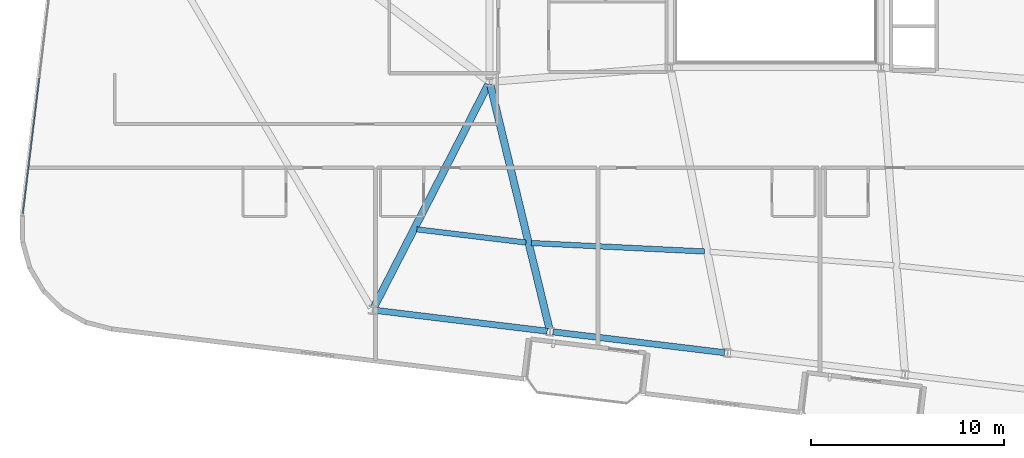
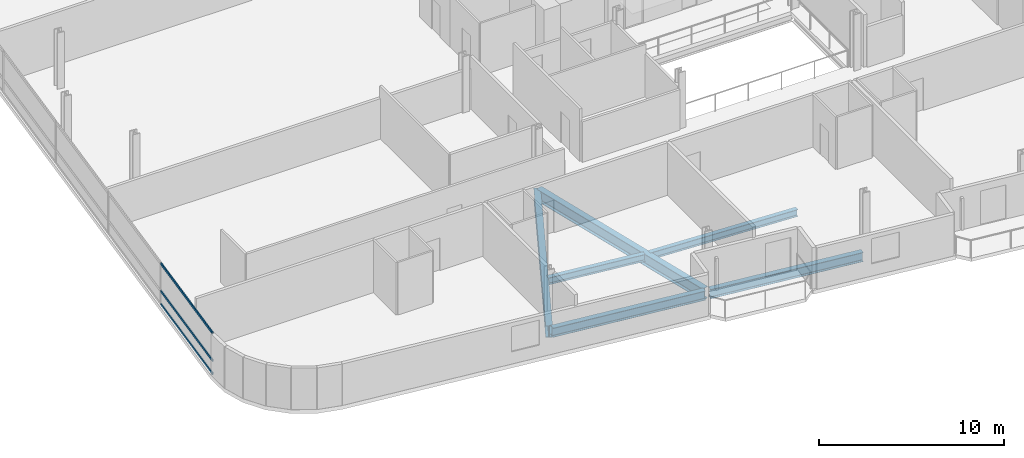
# One storey, part 3 of 25: 6 beams, 3 members, 1 element without a shape of its own.
"""IFC4 building model written with IfcOpenShell, lengths in metres."""

from ifc_helpers import new_model, si_unit, direction, frame, origin, origin_2d, place, context, subcontext, project, spatial, hollow_rectangle, i_section, extrude, material, layer, layer_set, material_profile, profile_set, type_object, element, aggregate, save


model = new_model("IFC4")

# Units and contexts
model_context = context("Model", 3, precision=1e-05, world=origin(), true_north=direction((0.0, 1.0)))
body_context = subcontext(model_context, "Body", "Model", "MODEL_VIEW")
ifc_project = project(units=[si_unit("LENGTHUNIT", "METRE"), si_unit("AREAUNIT", "SQUARE_METRE"), si_unit("VOLUMEUNIT", "CUBIC_METRE"), si_unit("PLANEANGLEUNIT", "RADIAN"), si_unit("MASSUNIT", "GRAM", prefix="KILO")], contexts=[model_context])

# Site, building, storey
site_placement = place(None, origin())
site = spatial("IfcSite", under=ifc_project, at=site_placement, CompositionType="ELEMENT")
building_placement = place(site_placement, origin())
building = spatial("IfcBuilding", under=site, at=building_placement, Name="Varnelok Gate Tower", CompositionType="ELEMENT")
storey_placement = place(building_placement, frame((0.0, 0.0, 140.199951171875)))
storey = spatial("IfcBuildingStorey", under=building, at=storey_placement, Name="L35", CompositionType="ELEMENT", Elevation=140.199951171875)

# Beams
ifc_material_1 = material(Name="Structural Steel ASTM A992 Grade 50", Category="steel")
ifc_material_profile_1 = material_profile(ifc_material_1, i_section(OverallWidth=0.280029296875, OverallDepth=0.462890625, WebThickness=0.0107421875, FlangeThickness=0.017333984375, FilletRadius=0.014892578125, at=origin_2d()), Name="W18X76")
ifc_profile_set_1 = profile_set([ifc_material_profile_1], Name="Structural Steel ASTM A992 Grade 50")
beam_type_1 = type_object("IfcBeamType", Name="BM-JST-W18X76", PredefinedType="JOIST", material=ifc_profile_set_1)
beam_1_placement = place(storey_placement, frame((20.634033203125, 11.169921875, -0.4814453125), z_axis=(0.992731450462, -0.120350601429, 0.0), x_axis=(0.120350601429, 0.992731450462, 0.0)))
element("IfcBeam", 1, at=beam_1_placement, inside=storey, type_object=beam_type_1, Name="L35 Sector Floor Joist 1", PredefinedType="JOIST", context=body_context, shape_type="SweptSolid", body=[
    extrude(i_section(OverallWidth=0.280029296875, OverallDepth=0.462890625, WebThickness=0.0107421875, FlangeThickness=0.017333984375, FilletRadius=0.014892578125, at=origin_2d()), origin(), (0.0, 0.0, 1.0), 5.68603515625),
])
beam_2_placement = place(storey_placement, frame((26.5576171875, 10.4619140625, -0.4814453125), z_axis=(0.998808084552, -0.0488099399, 0.0), x_axis=(0.0488099399, 0.998808084552, 0.0)))
element("IfcBeam", 2, at=beam_2_placement, inside=storey, type_object=beam_type_1, Name="L35 Sector Floor Joist 2", PredefinedType="JOIST", context=body_context, shape_type="SweptSolid", body=[
    extrude(i_section(OverallWidth=0.280029296875, OverallDepth=0.462890625, WebThickness=0.0107421875, FlangeThickness=0.017333984375, FilletRadius=0.014892578125, at=origin_2d()), origin(), (0.0, 0.0, 1.0), 8.973388671875),
])
ifc_material_profile_2 = material_profile(ifc_material_1, i_section(OverallWidth=0.381103515625, OverallDepth=0.77294921875, WebThickness=0.0166015625, FlangeThickness=0.027099609375, FilletRadius=0.02197265625, at=origin_2d()), Name="W30X173")
ifc_profile_set_2 = profile_set([ifc_material_profile_2], Name="Structural Steel ASTM A992 Grade 50")
beam_type_2 = type_object("IfcBeamType", Name="BM-PRI-W30X173", PredefinedType="BEAM", material=ifc_profile_set_2)
beam_3_placement = place(storey_placement, frame((24.33154296875, 18.66650390625, -0.636474609375), z_axis=(-0.456386604987, -0.889781583754, 0.0), x_axis=(0.889781583754, -0.456386604987, 0.0)))
element("IfcBeam", 3, at=beam_3_placement, inside=storey, type_object=beam_type_2, Name="L35 Radial Floor Girder 1", PredefinedType="BEAM", context=body_context, shape_type="SweptSolid", body=[
    extrude(i_section(OverallWidth=0.381103515625, OverallDepth=0.77294921875, WebThickness=0.0166015625, FlangeThickness=0.027099609375, FilletRadius=0.02197265625, at=origin_2d()), origin(), (0.0, 0.0, 1.0), 12.96533203125),
])
beam_4_placement = place(storey_placement, frame((24.435302734375, 18.654296875, -0.636474609375), z_axis=(0.235400453941, -0.971898465008, 0.0), x_axis=(0.971898465008, 0.235400453941, 0.0)))
element("IfcBeam", 4, at=beam_4_placement, inside=storey, type_object=beam_type_2, Name="L35 Radial Floor Girder 2", PredefinedType="BEAM", context=body_context, shape_type="SweptSolid", body=[
    extrude(i_section(OverallWidth=0.381103515625, OverallDepth=0.77294921875, WebThickness=0.0166015625, FlangeThickness=0.027099609375, FilletRadius=0.02197265625, at=origin_2d()), origin(), (0.0, 0.0, 1.0), 12.989990234375),
])
ifc_material_profile_3 = material_profile(ifc_material_1, i_section(OverallWidth=0.323974609375, OverallDepth=0.611083984375, WebThickness=0.0126953125, FlangeThickness=0.01904296875, FilletRadius=0.01806640625, at=origin_2d()), Name="W24X104")
ifc_profile_set_3 = profile_set([ifc_material_profile_3], Name="Structural Steel ASTM A992 Grade 50")
beam_type_3 = type_object("IfcBeamType", Name="BM-SPN-W24X104", PredefinedType="SPANDREL", material=ifc_profile_set_3)
for number, where, z_axis, x_axis, name in (
    (5, (18.49462890625, 6.978515625, -0.555419921875), (0.992734670707, -0.120324035735, 0.0), (0.120324035735, 0.992734670707, 0.0), "L35 Perimeter Spandrel Beam 1"),
    (6, (27.677490234375, 5.865478515625, -0.555419921875), (0.99273141198, -0.120350918849, 0.0), (0.120350918849, 0.99273141198, 0.0), "L35 Perimeter Spandrel Beam 2"),
):
    element("IfcBeam", number, at=place(storey_placement, frame(where, z_axis=z_axis, x_axis=x_axis)), inside=storey, type_object=beam_type_3, Name=name, PredefinedType="SPANDREL", context=body_context, shape_type="SweptSolid", body=[
        extrude(i_section(OverallWidth=0.323974609375, OverallDepth=0.611083984375, WebThickness=0.0126953125, FlangeThickness=0.01904296875, FilletRadius=0.01806640625, at=origin_2d()), origin(), (0.0, 0.0, 1.0), 8.949951171875),
    ])

# Curtain wall, members
ifc_material_2 = material(Name="Anodized Aluminum Alloy 6063-T6", Category="aluminium")
ifc_layer = layer(ifc_material_2, 0.179931640625)
ifc_layer_set = layer_set([ifc_layer], Name="Anodized Aluminum Alloy 6063-T6")
curtain_wall_type = type_object("IfcCurtainWallType", Name="CW3-HOTEL-VISION", PredefinedType="USERDEFINED", material=ifc_layer_set)
curtain_wall_placement = place(storey_placement, origin())
curtain_wall = element("IfcCurtainWall", 7, at=curtain_wall_placement, inside=storey, type_object=curtain_wall_type, Name="L35 West End Vision Curtain Wall", ObjectType="UNITISED CURTAIN WALL", PredefinedType="USERDEFINED")
ifc_material_profile_4 = material_profile(ifc_material_2, hollow_rectangle(XDim=0.06494140625, YDim=0.159912109375, WallThickness=0.00390625, at=origin_2d()), Name="ALU160X65X4")
ifc_profile_set_4 = profile_set([ifc_material_profile_4], Name="Anodized Aluminum Alloy 6063-T6")
member_type = type_object("IfcMemberType", Name="CW-TRAN-160", PredefinedType="USERDEFINED", material=ifc_profile_set_4)
member_1_placement = place(storey_placement, frame((0.2509765625, 11.955322265625, 0.032470703125), z_axis=(0.120344712857, 0.992732164326, 0.0), x_axis=(-0.992732164326, 0.120344712857, 0.0)))
member_1 = element("IfcMember", 8, at=member_1_placement, type_object=member_type, Name="CW3 transom 1.1", ObjectType="TRANSOM", PredefinedType="USERDEFINED", context=body_context, shape_type="SweptSolid", body=[
    extrude(hollow_rectangle(XDim=0.06494140625, YDim=0.159912109375, WallThickness=0.00390625, at=origin_2d()), origin(), (0.0, 0.0, 1.0), 7.102294921875),
])
member_2_placement = place(storey_placement, frame((0.2509765625, 11.955322265625, 0.900146484375), z_axis=(0.120344712857, 0.992732164326, 0.0), x_axis=(-0.992732164326, 0.120344712857, 0.0)))
member_2 = element("IfcMember", 9, at=member_2_placement, type_object=member_type, Name="CW3 transom 1.2", ObjectType="TRANSOM", PredefinedType="USERDEFINED", context=body_context, shape_type="SweptSolid", body=[
    extrude(hollow_rectangle(XDim=0.06494140625, YDim=0.159912109375, WallThickness=0.00390625, at=origin_2d()), origin(), (0.0, 0.0, 1.0), 7.102294921875),
])
member_3_placement = place(storey_placement, frame((0.2509765625, 11.955322265625, 2.697509765625), z_axis=(0.120344712857, 0.992732164326, 0.0), x_axis=(-0.992732164326, 0.120344712857, 0.0)))
member_3 = element("IfcMember", 10, at=member_3_placement, type_object=member_type, Name="CW3 transom 1.3", ObjectType="TRANSOM", PredefinedType="USERDEFINED", context=body_context, shape_type="SweptSolid", body=[
    extrude(hollow_rectangle(XDim=0.06494140625, YDim=0.159912109375, WallThickness=0.00390625, at=origin_2d()), origin(), (0.0, 0.0, 1.0), 7.102294921875),
])
aggregate(curtain_wall, [member_1, member_2, member_3])

save(model, "model.ifc")
